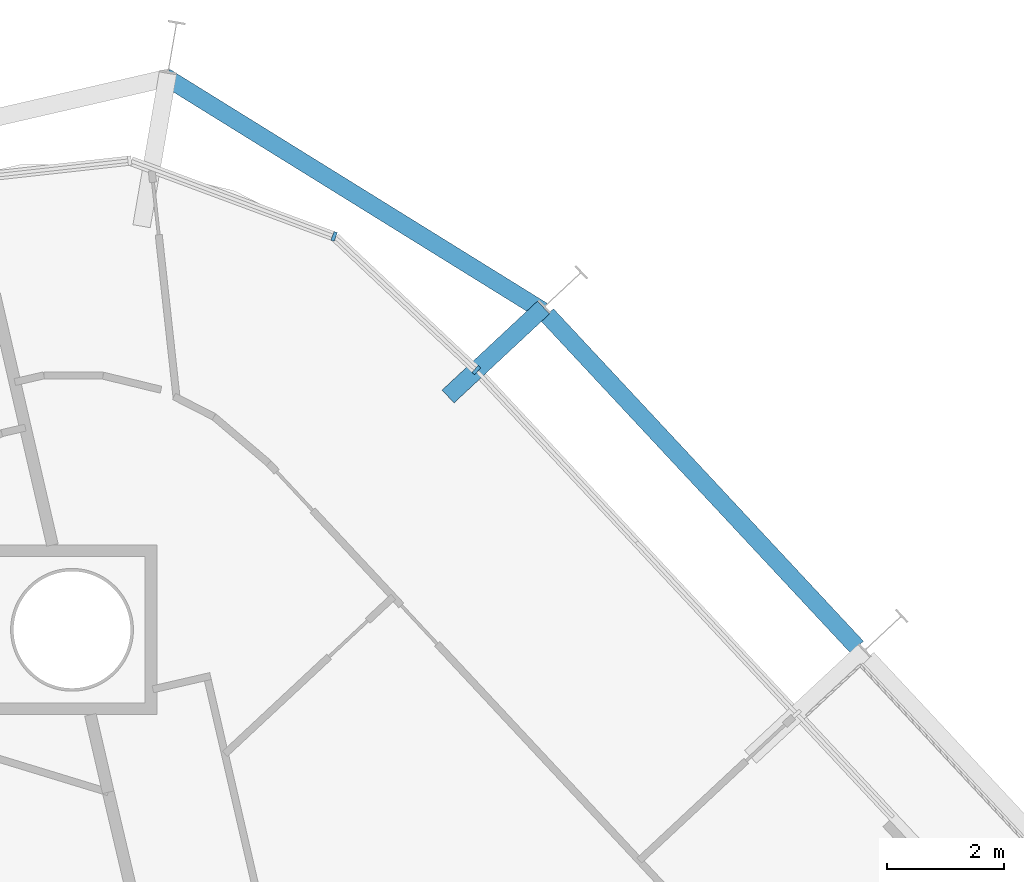
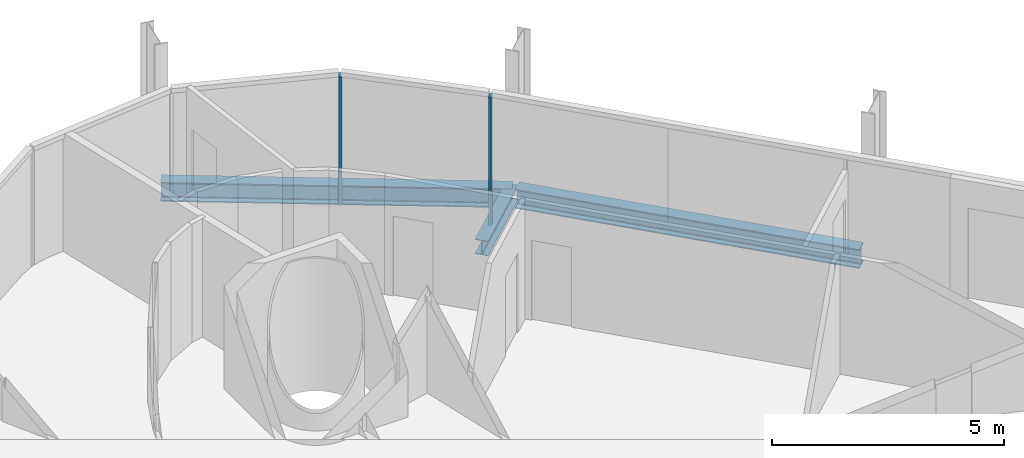
# One storey, part 8 of 18: 3 beams, 2 members, 1 element without a shape of its own.
"""IFC4 building model written with IfcOpenShell, lengths in metres."""

from ifc_helpers import new_model, si_unit, direction, frame, origin, origin_2d, place, context, subcontext, project, spatial, rectangle, i_section, extrude, material, layer, layer_set, material_profile, profile_set, type_object, element, aggregate, save


model = new_model("IFC4")

# Units and contexts
model_context = context("Model", 3, precision=1e-05, world=origin(), true_north=direction((0.0, 1.0)))
body_context = subcontext(model_context, "Body", "Model", "MODEL_VIEW")
ifc_project = project(units=[si_unit("LENGTHUNIT", "METRE"), si_unit("AREAUNIT", "SQUARE_METRE"), si_unit("VOLUMEUNIT", "CUBIC_METRE"), si_unit("PLANEANGLEUNIT", "RADIAN"), si_unit("MASSUNIT", "GRAM", prefix="KILO")], contexts=[model_context])

# Site, building, storey
site_placement = place(None, origin())
site = spatial("IfcSite", under=ifc_project, at=site_placement, CompositionType="ELEMENT")
building_placement = place(site_placement, origin())
building = spatial("IfcBuilding", under=site, at=building_placement, Name="Spindle Arch Residences", CompositionType="ELEMENT")
storey_placement = place(building_placement, frame((0.0, 0.0, 137.89990234375)))
storey = spatial("IfcBuildingStorey", under=building, at=storey_placement, Name="L34", CompositionType="ELEMENT", Elevation=137.89990234375)

# Curtain wall, members
ifc_material_1 = material(Name="Aluminium bronze unitised frame with tinted glass", Category="aluminium")
ifc_layer = layer(ifc_material_1, 0.159912109375)
ifc_layer_set = layer_set([ifc_layer], Name="CW-D corner wall on the fillet arcs")
curtain_wall_type = type_object("IfcCurtainWallType", Name="CW-D corner wall on the fillet arcs", PredefinedType="NOTDEFINED", material=ifc_layer_set)
curtain_wall_placement = place(storey_placement, origin())
curtain_wall = element("IfcCurtainWall", 1, at=curtain_wall_placement, inside=storey, type_object=curtain_wall_type, Name="CW-D L34 run 3", PredefinedType="NOTDEFINED")
ifc_material_2 = material(Name="Aluminium bronze anodised mullion", Category="aluminium")
ifc_material_profile_1 = material_profile(ifc_material_2, rectangle(XDim=0.159912109375, YDim=0.06005859375, at=origin_2d()), Name="MU 60x160")
ifc_profile_set_1 = profile_set([ifc_material_profile_1], Name="Aluminium bronze anodised mullion")
member_type = type_object("IfcMemberType", Name="Bronze mullion 60x160", PredefinedType="MULLION", material=ifc_profile_set_1)
member_1_placement = place(storey_placement, frame((2.010009765625, 25.6611328125, -0.3798828125), z_axis=(0.0, 0.0, 1.0), x_axis=(-0.685289870681, -0.728270412102, 0.0)))
member_1 = element("IfcMember", 2, at=member_1_placement, type_object=member_type, Name="CW-D mullion 00", PredefinedType="MULLION", context=body_context, shape_type="SweptSolid", body=[
    extrude(rectangle(XDim=0.159912109375, YDim=0.06005859375, at=origin_2d()), origin(), (0.0, 0.0, 1.0), 3.3798828125),
])
member_2_placement = place(storey_placement, frame((-0.420654296875, 27.9482421875, -0.3798828125), z_axis=(0.0, 0.0, 1.0), x_axis=(-0.347481235896, -0.937686936403, 0.0)))
member_2 = element("IfcMember", 3, at=member_2_placement, type_object=member_type, Name="CW-D mullion 01", PredefinedType="MULLION", context=body_context, shape_type="SweptSolid", body=[
    extrude(rectangle(XDim=0.159912109375, YDim=0.06005859375, at=origin_2d()), origin(), (0.0, 0.0, 1.0), 3.3798828125),
])
aggregate(curtain_wall, [member_1, member_2])

# Beams
ifc_material_3 = material(Name="Steel S460ML, intumescent coating R 120", Category="steel")
ifc_material_profile_2 = material_profile(ifc_material_3, i_section(OverallWidth=0.300048828125, OverallDepth=0.5, WebThickness=0.014404296875, FlangeThickness=0.028076171875, FilletRadius=0.027099609375, at=origin_2d()), Name="HEB 500")
ifc_profile_set_2 = profile_set([ifc_material_profile_2], Name="Steel S460ML, intumescent coating R 120")
beam_type_1 = type_object("IfcBeamType", Name="Exoskeleton edge beam HEB 500", PredefinedType="BEAM", material=ifc_profile_set_2)
beam_1_placement = place(storey_placement, frame((8.51611328125, 20.927490234375, -0.6298828125), z_axis=(-0.681975565737, 0.731374957007, 0.0), x_axis=(-0.731374957007, -0.681975565737, 0.0)))
element("IfcBeam", 4, at=beam_1_placement, inside=storey, type_object=beam_type_1, Name="Exoskeleton edge beam 9", PredefinedType="BEAM", context=body_context, shape_type="SweptSolid", body=[
    extrude(i_section(OverallWidth=0.300048828125, OverallDepth=0.5, WebThickness=0.014404296875, FlangeThickness=0.028076171875, FilletRadius=0.027099609375, at=origin_2d()), origin(), (0.0, 0.0, 1.0), 7.76904296875),
])
beam_2_placement = place(storey_placement, frame((3.14404296875, 26.67626953125, -0.6298828125), z_axis=(-0.849846805049, 0.52702979797, 0.0), x_axis=(-0.52702979797, -0.849846805049, 0.0)))
element("IfcBeam", 5, at=beam_2_placement, inside=storey, type_object=beam_type_1, Name="Exoskeleton edge beam 10", PredefinedType="BEAM", context=body_context, shape_type="SweptSolid", body=[
    extrude(i_section(OverallWidth=0.300048828125, OverallDepth=0.5, WebThickness=0.014404296875, FlangeThickness=0.028076171875, FilletRadius=0.027099609375, at=origin_2d()), origin(), (0.0, 0.0, 1.0), 7.591552734375),
])
ifc_material_4 = material(Name="Steel S460ML, intumescent coating R 120", Category="steel")
ifc_material_profile_3 = material_profile(ifc_material_4, i_section(OverallWidth=0.300048828125, OverallDepth=0.389892578125, WebThickness=0.010986328125, FlangeThickness=0.01904296875, FilletRadius=0.027099609375, at=origin_2d()), Name="HEA 400")
ifc_profile_set_3 = profile_set([ifc_material_profile_3], Name="Steel S460ML, intumescent coating R 120")
beam_type_2 = type_object("IfcBeamType", Name="Floor outrigger HEA 400", PredefinedType="BEAM", material=ifc_profile_set_3)
beam_3_placement = place(storey_placement, frame((3.158203125, 26.73193359375, -0.574951171875), z_axis=(-0.73130638013, -0.682049102618, 0.0), x_axis=(0.682049102618, -0.73130638013, 0.0)))
element("IfcBeam", 6, at=beam_3_placement, inside=storey, type_object=beam_type_2, Name="Floor outrigger 10", PredefinedType="BEAM", context=body_context, shape_type="SweptSolid", body=[
    extrude(i_section(OverallWidth=0.300048828125, OverallDepth=0.389892578125, WebThickness=0.010986328125, FlangeThickness=0.01904296875, FilletRadius=0.027099609375, at=origin_2d()), origin(), (0.0, 0.0, 1.0), 2.23046875),
])

save(model, "model.ifc")
